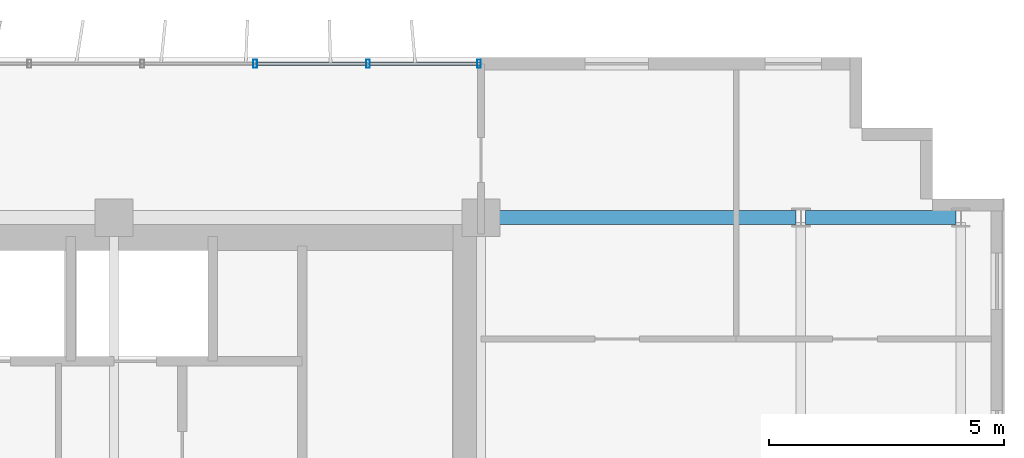
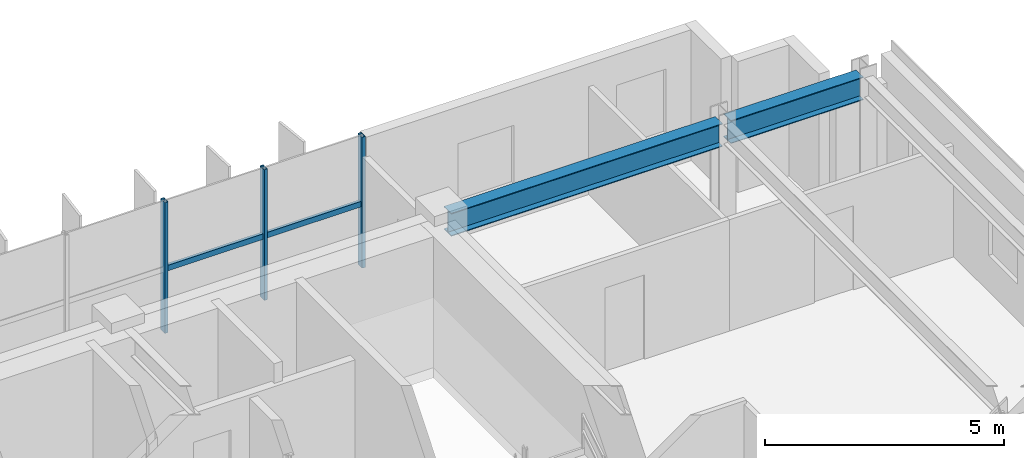
# One storey, part 11 of 22: 5 members, 2 beams, 1 element without a shape of its own.
"""IFC4 building model written with IfcOpenShell, lengths in metres."""

from ifc_helpers import new_model, si_unit, direction, frame, origin, origin_2d, place, context, subcontext, project, spatial, hollow_rectangle, i_section, extrude, source, transform, mapped, material, material_profile, profile_set, type_object, element, aggregate, save


model = new_model("IFC4")

# Units and contexts
model_context = context("Model", 3, precision=1e-05, world=origin(), true_north=direction((0.0, 1.0)))
body_context = subcontext(model_context, "Body", "Model", "MODEL_VIEW")
ifc_project = project(units=[si_unit("LENGTHUNIT", "METRE"), si_unit("AREAUNIT", "SQUARE_METRE"), si_unit("VOLUMEUNIT", "CUBIC_METRE"), si_unit("PLANEANGLEUNIT", "RADIAN"), si_unit("MASSUNIT", "GRAM", prefix="KILO")], contexts=[model_context])

# Site, building, storey
site_placement = place(None, origin())
site = spatial("IfcSite", under=ifc_project, at=site_placement, CompositionType="ELEMENT")
building_placement = place(site_placement, origin())
building = spatial("IfcBuilding", under=site, at=building_placement, Name="Trelvane Seafront Commons", CompositionType="ELEMENT")
storey_placement = place(building_placement, frame((0.0, 0.0, 85.300048828125)))
storey = spatial("IfcBuildingStorey", under=building, at=storey_placement, Name="L21", CompositionType="ELEMENT", Elevation=85.300048828125)

# Beams
ifc_material_1 = material(Name="Steel SM355 (S355)", Category="steel")
ifc_material_profile_1 = material_profile(ifc_material_1, i_section(OverallWidth=0.300048828125, OverallDepth=0.587890625, WebThickness=0.011962890625, FlangeThickness=0.02001953125, at=origin_2d()), Name="H-588x300x12x20")
ifc_profile_set_1 = profile_set([ifc_material_profile_1], Name="Steel SM355 (S355)")
beam_type = type_object("IfcBeamType", Name="STR-BM-H588", PredefinedType="BEAM", material=ifc_profile_set_1)
shared_shape_1 = source(origin(), body_context, "Body", "SweptSolid", [
    extrude(i_section(OverallWidth=0.300048828125, OverallDepth=0.587890625, WebThickness=0.011962890625, FlangeThickness=0.02001953125, at=origin_2d()), origin(), (0.0, 0.0, 1.0), 3.199951171875),
])
beam_1_placement = place(storey_placement, frame((65.699951171875, 45.10009765625, 3.0458984375), z_axis=(1.0, 0.0, 0.0), x_axis=(0.0, 1.0, 0.0)))
element("IfcBeam", 1, at=beam_1_placement, inside=storey, type_object=beam_type, Name="L21 Primary Girder G-36", PredefinedType="BEAM", context=body_context, shape_type="MappedRepresentation", body=[
    mapped(shared_shape_1, transform((0.0, 0.0, 0.0), x_axis=(1.0, 0.0, 0.0), y_axis=(0.0, 1.0, 0.0), z_axis=(0.0, 0.0, 1.0), scale=1.0)),
])
shared_shape_2 = source(origin(), body_context, "Body", "SweptSolid", [
    extrude(i_section(OverallWidth=0.300048828125, OverallDepth=0.587890625, WebThickness=0.011962890625, FlangeThickness=0.02001953125, at=origin_2d()), origin(), (0.0, 0.0, 1.0), 6.550048828125),
])
beam_2_placement = place(storey_placement, frame((58.949951171875, 45.10009765625, 3.0458984375), z_axis=(1.0, 0.0, 0.0), x_axis=(0.0, 1.0, 0.0)))
element("IfcBeam", 2, at=beam_2_placement, inside=storey, type_object=beam_type, Name="L21 Primary Girder G-35", PredefinedType="BEAM", context=body_context, shape_type="MappedRepresentation", body=[
    mapped(shared_shape_2, transform((0.0, 0.0, 0.0), x_axis=(1.0, 0.0, 0.0), y_axis=(0.0, 1.0, 0.0), z_axis=(0.0, 0.0, 1.0), scale=1.0)),
])

# Curtain wall, members
ifc_material_2 = material(Name="Anodised pale-silver aluminium", Category="aluminium")
curtain_wall_type = type_object("IfcCurtainWallType", Name="ARCH-CW4-SKYLOBBY", PredefinedType="NOTDEFINED", material=ifc_material_2)
curtain_wall_placement = place(storey_placement, origin())
curtain_wall = element("IfcCurtainWall", 3, at=curtain_wall_placement, inside=storey, type_object=curtain_wall_type, Name="CW-L21-0046", PredefinedType="NOTDEFINED")
ifc_material_profile_2 = material_profile(ifc_material_2, hollow_rectangle(XDim=0.074951171875, YDim=0.139892578125, WallThickness=0.00390625, at=origin_2d()), Name="TRAN-75x140x4")
ifc_profile_set_2 = profile_set([ifc_material_profile_2], Name="Anodised pale-silver aluminium")
member_type_1 = type_object("IfcMemberType", Name="ARCH-CW-TRAN-140", PredefinedType="USERDEFINED", material=ifc_profile_set_2)
shared_shape_3 = source(origin(), body_context, "Body", "SweptSolid", [
    extrude(hollow_rectangle(XDim=0.074951171875, YDim=0.139892578125, WallThickness=0.00390625, at=origin_2d()), origin(), (0.0, 0.0, 1.0), 2.3759765625),
])
member_1_placement = place(storey_placement, frame((54.011962890625, 48.3701171875, 1.60302734375), z_axis=(1.0, 0.0, 0.0), x_axis=(0.0, 1.0, 0.0)))
member_1 = element("IfcMember", 4, at=member_1_placement, type_object=member_type_1, Name="CW-L21-0046-T16", ObjectType="TRANSOM", PredefinedType="USERDEFINED", context=body_context, shape_type="MappedRepresentation", body=[
    mapped(shared_shape_3, transform((0.0, 0.0, 0.0), x_axis=(1.0, 0.0, 0.0), y_axis=(0.0, 1.0, 0.0), z_axis=(0.0, 0.0, 1.0), scale=1.0)),
])
member_2_placement = place(storey_placement, frame((56.412109375, 48.3701171875, 1.60302734375), z_axis=(1.0, 0.0, 0.0), x_axis=(0.0, 1.0, 0.0)))
member_2 = element("IfcMember", 5, at=member_2_placement, type_object=member_type_1, Name="CW-L21-0046-T17", ObjectType="TRANSOM", PredefinedType="USERDEFINED", context=body_context, shape_type="MappedRepresentation", body=[
    mapped(shared_shape_3, transform((0.0, 0.0, 0.0), x_axis=(1.0, 0.0, 0.0), y_axis=(0.0, 1.0, 0.0), z_axis=(0.0, 0.0, 1.0), scale=1.0)),
])
ifc_material_profile_3 = material_profile(ifc_material_2, hollow_rectangle(XDim=0.080078125, YDim=0.179931640625, WallThickness=0.00439453125, at=origin_2d()), Name="MULL-80x180x4.5")
ifc_profile_set_3 = profile_set([ifc_material_profile_3], Name="Anodised pale-silver aluminium")
member_type_2 = type_object("IfcMemberType", Name="ARCH-CW-MULL-180", PredefinedType="MULLION", material=ifc_profile_set_3)
shared_shape_4 = source(origin(), body_context, "Body", "SweptSolid", [
    extrude(hollow_rectangle(XDim=0.080078125, YDim=0.179931640625, WallThickness=0.00439453125, at=origin_2d()), origin(), (0.0, 0.0, 1.0), 3.33984375),
])
member_3_placement = place(storey_placement, frame((54.0, 48.3701171875, 0.0), z_axis=(0.0, 0.0, 1.0), x_axis=(1.0, 0.0, 0.0)))
member_3 = element("IfcMember", 6, at=member_3_placement, type_object=member_type_2, Name="CW-L21-0046-M16", PredefinedType="MULLION", context=body_context, shape_type="MappedRepresentation", body=[
    mapped(shared_shape_4, transform((0.0, 0.0, 0.0), x_axis=(1.0, 0.0, 0.0), y_axis=(0.0, 1.0, 0.0), z_axis=(0.0, 0.0, 1.0), scale=1.0)),
])
member_4_placement = place(storey_placement, frame((56.39990234375, 48.3701171875, 0.0), z_axis=(0.0, 0.0, 1.0), x_axis=(1.0, 0.0, 0.0)))
member_4 = element("IfcMember", 7, at=member_4_placement, type_object=member_type_2, Name="CW-L21-0046-M17", PredefinedType="MULLION", context=body_context, shape_type="MappedRepresentation", body=[
    mapped(shared_shape_4, transform((0.0, 0.0, 0.0), x_axis=(1.0, 0.0, 0.0), y_axis=(0.0, 1.0, 0.0), z_axis=(0.0, 0.0, 1.0), scale=1.0)),
])
member_5_placement = place(storey_placement, frame((58.760009765625, 48.3701171875, 0.0), z_axis=(0.0, 0.0, 1.0), x_axis=(1.0, 0.0, 0.0)))
member_5 = element("IfcMember", 8, at=member_5_placement, type_object=member_type_2, Name="CW-L21-0046-M18", PredefinedType="MULLION", context=body_context, shape_type="MappedRepresentation", body=[
    mapped(shared_shape_4, transform((0.0, 0.0, 0.0), x_axis=(1.0, 0.0, 0.0), y_axis=(0.0, 1.0, 0.0), z_axis=(0.0, 0.0, 1.0), scale=1.0)),
])
aggregate(curtain_wall, [member_3, member_4, member_5, member_1, member_2])

save(model, "model.ifc")
